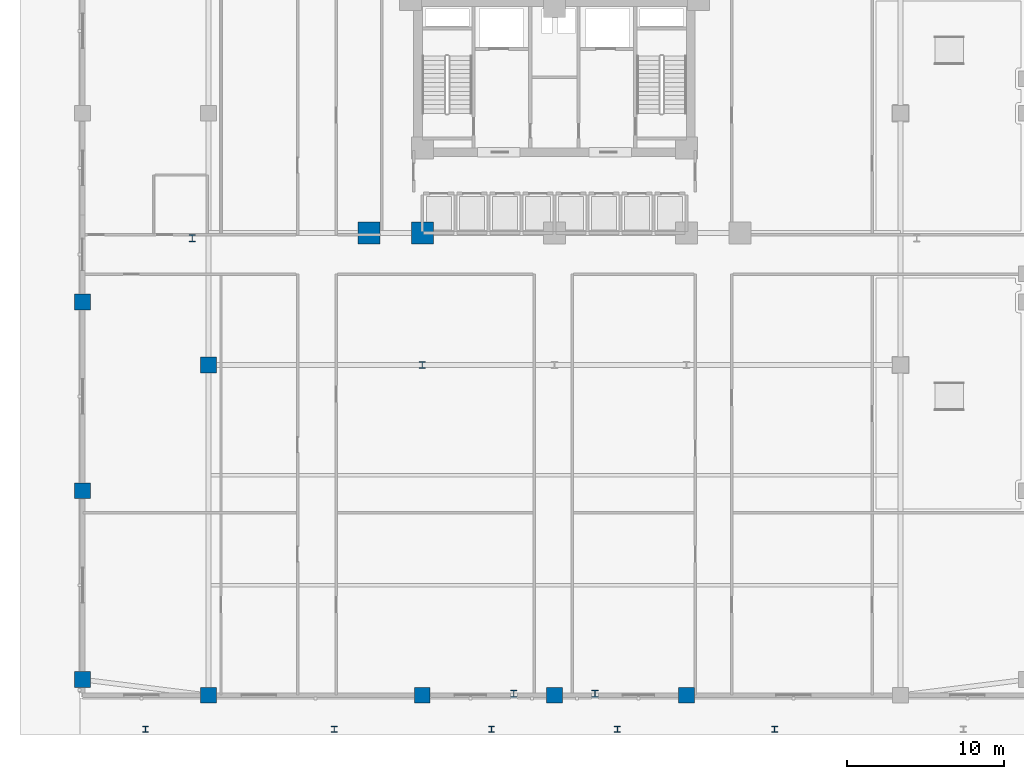
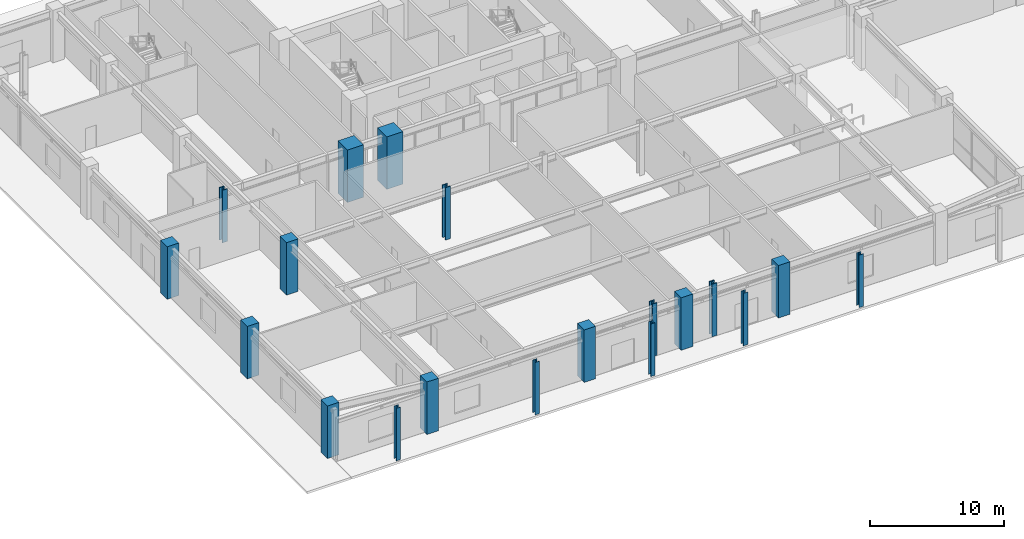
# One storey, part 1 of 40: 19 columns.
"""IFC4 building model written with IfcOpenShell, lengths in metres."""

from ifc_helpers import new_model, si_unit, derived_unit, direction, frame, origin, origin_2d, place, context, subcontext, project, spatial, rectangle, i_section, extrude, source, transform, mapped, material, material_profile, profile_set, type_object, element, save


model = new_model("IFC4")

# Units and contexts
model_context = context("Model", 3, precision=1e-05, world=origin(), true_north=direction((0.0, 1.0)))
body_context = subcontext(model_context, "Body", "Model", "MODEL_VIEW")
ifc_project = project(units=[si_unit("LENGTHUNIT", "METRE"), si_unit("AREAUNIT", "SQUARE_METRE"), si_unit("VOLUMEUNIT", "CUBIC_METRE"), si_unit("PLANEANGLEUNIT", "RADIAN"), si_unit("MASSUNIT", "GRAM", prefix="KILO"), derived_unit("THERMALTRANSMITTANCEUNIT", [(si_unit("POWERUNIT", "WATT"), 1), (si_unit("LENGTHUNIT", "METRE"), -2), (si_unit("THERMODYNAMICTEMPERATUREUNIT", "KELVIN"), -1)])], contexts=[model_context])

# Site, building, storey
site_placement = place(None, origin())
site = spatial("IfcSite", under=ifc_project, at=site_placement, CompositionType="ELEMENT")
building_placement = place(site_placement, origin())
building = spatial("IfcBuilding", under=site, at=building_placement, Name="Korsvarv Bourse and Concert Hall", CompositionType="ELEMENT")
storey_placement = place(building_placement, origin())
storey = spatial("IfcBuildingStorey", under=building, at=storey_placement, Name="L00", CompositionType="ELEMENT", Elevation=0.0)

# Columns
ifc_material_1 = material(Name="Concrete C60/75", Category="concrete")
ifc_material_profile_1 = material_profile(ifc_material_1, rectangle(XDim=1.39990234375, YDim=1.39990234375, at=origin_2d()), Name="RC 1400x1400")
ifc_profile_set_1 = profile_set([ifc_material_profile_1], Name="Concrete C60/75")
column_type_1 = type_object("IfcColumnType", Name="COL-RC1400", PredefinedType="COLUMN", material=ifc_profile_set_1)
shared_shape_1 = source(origin(), body_context, "Body", "SweptSolid", [
    extrude(rectangle(XDim=1.39990234375, YDim=1.39990234375, at=origin_2d()), origin(), (0.0, 0.0, 1.0), 4.800048828125),
])
for number, where, z_axis, x_axis, name in (
    (1, (27.60009765625, 32.39990234375, 0.0), (0.0, 0.0, 1.0), (1.0, 0.0, 0.0), "L00 column C-01"),
    (2, (24.199951171875, 32.39990234375, 0.0), (0.0, 0.0, 1.0), (1.0, 0.0, 0.0), "L00 column C-01"),
):
    element("IfcColumn", number, at=place(storey_placement, frame(where, z_axis=z_axis, x_axis=x_axis)), inside=storey, type_object=column_type_1, Name=name, PredefinedType="COLUMN", context=body_context, shape_type="MappedRepresentation", body=[
        mapped(shared_shape_1, transform((0.0, 0.0, 0.0), scale=1.0)),
    ])
ifc_material_2 = material(Name="Steel S460", Category="steel")
ifc_material_profile_2 = material_profile(ifc_material_2, i_section(OverallWidth=0.424072265625, OverallDepth=0.47412109375, WebThickness=0.044921875, FlangeThickness=0.072021484375, FilletRadius=0.014892578125, at=origin_2d()), Name="HD 400x634")
ifc_profile_set_2 = profile_set([ifc_material_profile_2], Name="Steel S460")
column_type_2 = type_object("IfcColumnType", Name="COL-HD634", PredefinedType="COLUMN", material=ifc_profile_set_2)
shared_shape_2 = source(origin(), body_context, "Body", "SweptSolid", [
    extrude(i_section(OverallWidth=0.424072265625, OverallDepth=0.47412109375, WebThickness=0.044921875, FlangeThickness=0.072021484375, FilletRadius=0.014892578125, at=origin_2d()), origin(), (0.0, 0.0, 1.0), 4.800048828125),
])
for number, where, z_axis, x_axis, name in (
    (3, (27.60009765625, 24.0, 0.0), (0.0, 0.0, 1.0), (1.0, 0.0, 0.0), "L00 column C-07"),
    (4, (12.970458984375, 32.05419921875, 0.0), (0.0, 0.0, 1.0), (1.0, 0.0, 0.0), "L00 column C-07"),
    (5, (33.418212890625, 3.09375, 0.0), (0.0, 0.0, 1.0), (1.0, 0.0, 0.0), "L00 column C-07"),
    (6, (38.581787109375, 3.09375, 0.0), (0.0, 0.0, 1.0), (1.0, 0.0, 0.0), "L00 column C-07"),
):
    element("IfcColumn", number, at=place(storey_placement, frame(where, z_axis=z_axis, x_axis=x_axis)), inside=storey, type_object=column_type_2, Name=name, PredefinedType="COLUMN", context=body_context, shape_type="MappedRepresentation", body=[
        mapped(shared_shape_2, transform((0.0, 0.0, 0.0), scale=1.0)),
    ])
ifc_material_3 = material(Name="Concrete C55/67", Category="concrete")
ifc_material_profile_3 = material_profile(ifc_material_3, rectangle(XDim=1.0, YDim=1.0, at=origin_2d()), Name="RC 1000x1000")
ifc_profile_set_3 = profile_set([ifc_material_profile_3], Name="Concrete C55/67")
column_type_3 = type_object("IfcColumnType", Name="COL-RC1000", PredefinedType="COLUMN", material=ifc_profile_set_3)
shared_shape_3 = source(origin(), body_context, "Body", "SweptSolid", [
    extrude(rectangle(XDim=1.0, YDim=1.0, at=origin_2d()), origin(), (0.0, 0.0, 1.0), 4.800048828125),
])
for number, where, z_axis, x_axis, name in (
    (7, (6.0, 4.0, 0.0), (0.0, 0.0, 1.0), (1.0, 0.0, 0.0), "L00 column C-03"),
    (8, (6.0, 16.0, 0.0), (0.0, 0.0, 1.0), (1.0, 0.0, 0.0), "L00 column C-03"),
    (9, (6.0, 28.0, 0.0), (0.0, 0.0, 1.0), (1.0, 0.0, 0.0), "L00 column C-03"),
    (10, (14.0, 3.0, 0.0), (0.0, 0.0, 1.0), (1.0, 0.0, 0.0), "L00 column C-03"),
    (11, (27.60009765625, 3.0, 0.0), (0.0, 0.0, 1.0), (1.0, 0.0, 0.0), "L00 column C-03"),
    (12, (36.0, 3.0, 0.0), (0.0, 0.0, 1.0), (1.0, 0.0, 0.0), "L00 column C-03"),
    (13, (44.39990234375, 3.0, 0.0), (0.0, 0.0, 1.0), (1.0, 0.0, 0.0), "L00 column C-03"),
    (14, (14.0, 24.0, 0.0), (0.0, 0.0, 1.0), (1.0, 0.0, 0.0), "L00 column C-03"),
):
    element("IfcColumn", number, at=place(storey_placement, frame(where, z_axis=z_axis, x_axis=x_axis)), inside=storey, type_object=column_type_3, Name=name, PredefinedType="COLUMN", context=body_context, shape_type="MappedRepresentation", body=[
        mapped(shared_shape_3, transform((0.0, 0.0, 0.0), scale=1.0)),
    ])
ifc_material_4 = material(Name="Steel S355", Category="steel")
ifc_material_profile_4 = material_profile(ifc_material_4, i_section(OverallWidth=0.3740234375, OverallDepth=0.3798828125, WebThickness=0.01953125, FlangeThickness=0.031005859375, FilletRadius=0.014892578125, at=origin_2d()), Name="HD 360x262")
ifc_profile_set_4 = profile_set([ifc_material_profile_4], Name="Steel S355")
column_type_4 = type_object("IfcColumnType", Name="COL-PIL360", PredefinedType="PILASTER", material=ifc_profile_set_4)
shared_shape_4 = source(origin(), body_context, "Body", "SweptSolid", [
    extrude(i_section(OverallWidth=0.3740234375, OverallDepth=0.3798828125, WebThickness=0.01953125, FlangeThickness=0.031005859375, FilletRadius=0.014892578125, at=origin_2d()), origin(), (0.0, 0.0, 1.0), 4.800048828125),
])
for number, where, z_axis, x_axis, name in (
    (15, (10.0, 0.85009765625, 0.0), (0.0, 0.0, 1.0), (1.0, 0.0, 0.0), "L00 column C-12"),
    (16, (22.0, 0.85009765625, 0.0), (0.0, 0.0, 1.0), (1.0, 0.0, 0.0), "L00 column C-12"),
    (17, (32.0, 0.85009765625, 0.0), (0.0, 0.0, 1.0), (1.0, 0.0, 0.0), "L00 column C-12"),
    (18, (40.0, 0.85009765625, 0.0), (0.0, 0.0, 1.0), (1.0, 0.0, 0.0), "L00 column C-12"),
    (19, (50.0, 0.85009765625, 0.0), (0.0, 0.0, 1.0), (1.0, 0.0, 0.0), "L00 column C-12"),
):
    element("IfcColumn", number, at=place(storey_placement, frame(where, z_axis=z_axis, x_axis=x_axis)), inside=storey, type_object=column_type_4, Name=name, PredefinedType="PILASTER", context=body_context, shape_type="MappedRepresentation", body=[
        mapped(shared_shape_4, transform((0.0, 0.0, 0.0), scale=1.0)),
    ])

save(model, "model.ifc")
